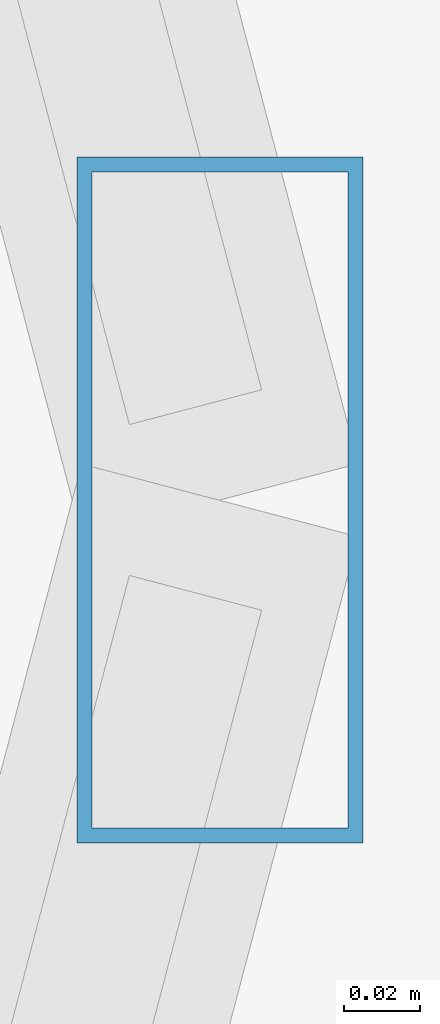
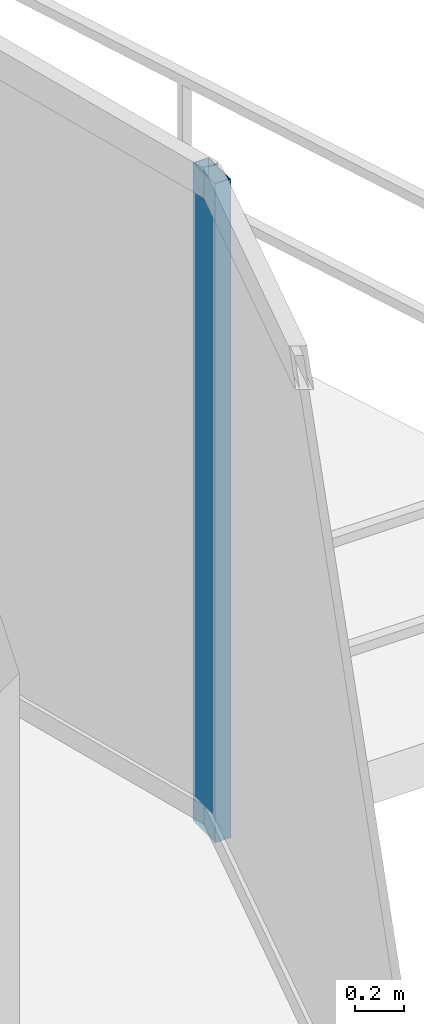
# One storey, part 15 of 33: 1 member, 1 element without a shape of its own.
"""IFC4 building model written with IfcOpenShell, lengths in metres."""

from ifc_helpers import new_model, si_unit, direction, frame, origin, origin_2d, place, context, subcontext, project, spatial, hollow_rectangle, extrude, material, material_profile, profile_set, type_object, element, aggregate, save


model = new_model("IFC4")

# Units and contexts
model_context = context("Model", 3, precision=1e-05, world=origin(), true_north=direction((0.0, 1.0)))
body_context = subcontext(model_context, "Body", "Model", "MODEL_VIEW")
ifc_project = project(units=[si_unit("LENGTHUNIT", "METRE"), si_unit("AREAUNIT", "SQUARE_METRE"), si_unit("VOLUMEUNIT", "CUBIC_METRE"), si_unit("PLANEANGLEUNIT", "RADIAN"), si_unit("MASSUNIT", "GRAM", prefix="KILO")], contexts=[model_context])

# Site, building, storey
site_placement = place(None, origin())
site = spatial("IfcSite", under=ifc_project, at=site_placement, CompositionType="ELEMENT")
building_placement = place(site_placement, origin())
building = spatial("IfcBuilding", under=site, at=building_placement, Name="Vorneva Point Tower", CompositionType="ELEMENT")
storey_placement = place(building_placement, frame((0.0, 0.0, 34.5)))
storey = spatial("IfcBuildingStorey", under=building, at=storey_placement, Name="L08", CompositionType="ELEMENT", Elevation=34.5)

# Curtain wall, member
ifc_material = material(Name="Pale anodised aluminium", Category="aluminium")
curtain_wall_type = type_object("IfcCurtainWallType", Name="CW-HTL-SYS", PredefinedType="NOTDEFINED", material=ifc_material)
curtain_wall_placement = place(storey_placement, origin())
curtain_wall = element("IfcCurtainWall", 1, at=curtain_wall_placement, inside=storey, type_object=curtain_wall_type, Name="L08 Unitised Curtain Wall CW-L08-R01", PredefinedType="NOTDEFINED")
ifc_material_profile = material_profile(ifc_material, hollow_rectangle(XDim=0.074951171875, YDim=0.179931640625, WallThickness=0.00390625, at=origin_2d()), Name="AL-MUL 180x75x4")
ifc_profile_set = profile_set([ifc_material_profile], Name="Pale anodised aluminium")
member_type = type_object("IfcMemberType", Name="CW-MUL-180", PredefinedType="MULLION", material=ifc_profile_set)
member_placement = place(storey_placement, frame((67.550048828125, 26.0, -0.0400390625), z_axis=(0.0, 0.0, 1.0), x_axis=(1.0, 0.0, 0.0)))
member = element("IfcMember", 2, at=member_placement, type_object=member_type, Name="CW-L08-R01 Mullion 03", PredefinedType="MULLION", context=body_context, shape_type="SweptSolid", body=[
    extrude(hollow_rectangle(XDim=0.074951171875, YDim=0.179931640625, WallThickness=0.00390625, at=origin_2d()), origin(), (0.0, 0.0, 1.0), 3.31005859375),
])
aggregate(curtain_wall, [member])

save(model, "model.ifc")
